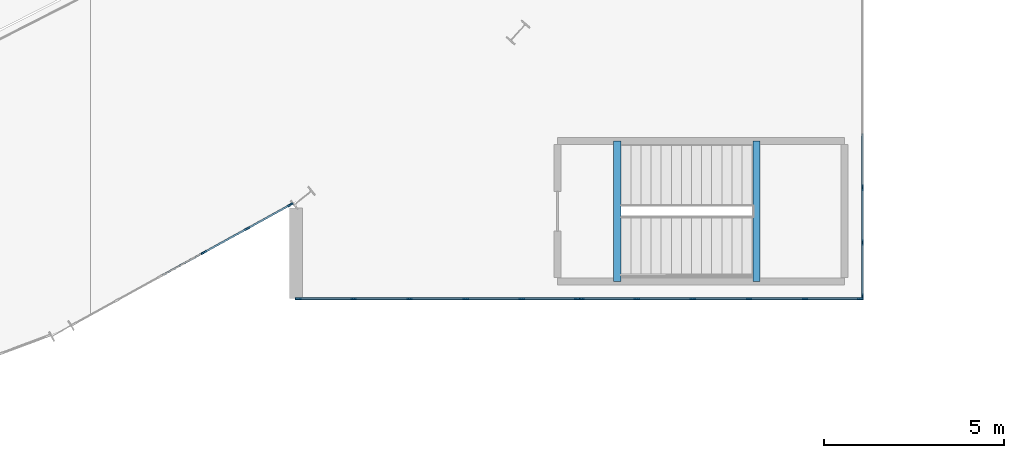
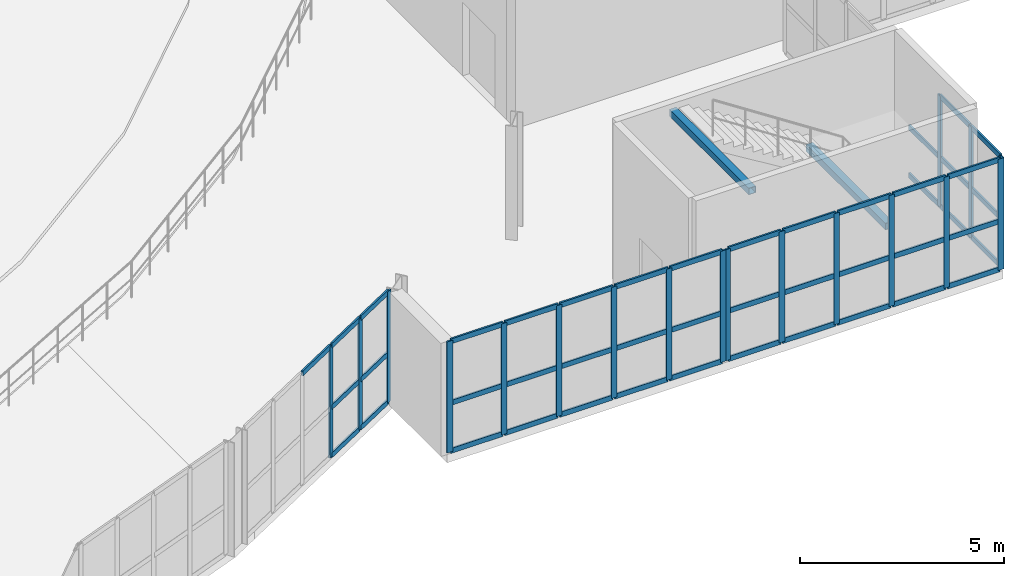
# One storey, part 15 of 40: 63 members, 2 beams, 4 elements without a shape of their own.
"""IFC4 building model written with IfcOpenShell, lengths in metres."""

from ifc_helpers import new_model, si_unit, direction, frame, origin, origin_2d, place, context, subcontext, project, spatial, rectangle, hollow_rectangle, extrude, material, material_profile, profile_set, type_object, element, aggregate, save


model = new_model("IFC4")

# Units and contexts
model_context = context("Model", 3, precision=1e-05, world=origin(), true_north=direction((0.0, 1.0)))
body_context = subcontext(model_context, "Body", "Model", "MODEL_VIEW")
ifc_project = project(units=[si_unit("LENGTHUNIT", "METRE"), si_unit("AREAUNIT", "SQUARE_METRE"), si_unit("VOLUMEUNIT", "CUBIC_METRE"), si_unit("PLANEANGLEUNIT", "RADIAN"), si_unit("MASSUNIT", "GRAM", prefix="KILO")], contexts=[model_context])

# Site, building, storey
site_placement = place(None, origin())
site = spatial("IfcSite", under=ifc_project, at=site_placement, CompositionType="ELEMENT")
building_placement = place(site_placement, origin())
building = spatial("IfcBuilding", under=site, at=building_placement, Name="Glasvene Arena", CompositionType="ELEMENT")
storey_placement = place(building_placement, frame((0.0, 0.0, 24.0)))
storey = spatial("IfcBuildingStorey", under=building, at=storey_placement, Name="L05", CompositionType="ELEMENT", Elevation=24.0)

# Beams
ifc_material_1 = material(Name="Steel S355J2", Category="steel")
ifc_material_profile_1 = material_profile(ifc_material_1, hollow_rectangle(XDim=0.199951171875, YDim=0.199951171875, WallThickness=0.010009765625, at=origin_2d()), Name="SHS 200x200x10.0")
ifc_profile_set_1 = profile_set([ifc_material_profile_1], Name="Steel S355J2")
beam_type = type_object("IfcBeamType", Name="BM-LINTEL-200", PredefinedType="LINTEL", material=ifc_profile_set_1)
for number, where, z_axis, x_axis, name in (
    (1, (130.10009765625, 34.280029296875, 4.47998046875), (0.0, 1.0, 0.0), (-1.0, 0.0, 0.0), "Roof stair arrival support beam ST-06"),
    (2, (133.9599609375, 34.280029296875, 2.080078125), (0.0, 1.0, 0.0), (-1.0, 0.0, 0.0), "Stair half-landing support beam ST-06-L05"),
):
    element("IfcBeam", number, at=place(storey_placement, frame(where, z_axis=z_axis, x_axis=x_axis)), inside=storey, type_object=beam_type, Name=name, PredefinedType="LINTEL", context=body_context, shape_type="SweptSolid", body=[
        extrude(hollow_rectangle(XDim=0.199951171875, YDim=0.199951171875, WallThickness=0.010009765625, at=origin_2d()), origin(), (0.0, 0.0, 1.0), 3.889892578125),
    ])

# Curtain wall, members
ifc_material_2 = material(Name="Low-emissivity laminated double glazing", Category="glass")
curtain_wall_type_1 = type_object("IfcCurtainWallType", Name="CW-FAC-L05-1062x332", PredefinedType="USERDEFINED", material=ifc_material_2)
curtain_wall_1_placement = place(storey_placement, frame((136.89990234375, 44.4599609375, 0.0)))
curtain_wall_1 = element("IfcCurtainWall", 3, at=curtain_wall_1_placement, inside=storey, type_object=curtain_wall_type_1, Name="Unitised curtain wall CW-F-L05-150-1369-392-37", ObjectType="CURTAIN WALL", PredefinedType="USERDEFINED")
ifc_material_3 = material(Name="Anodised architectural aluminium", Category="aluminium")
ifc_material_profile_2 = material_profile(ifc_material_3, rectangle(XDim=0.050048828125, YDim=0.159912109375, at=origin_2d()), Name="ALU MULLION 50x160")
ifc_profile_set_2 = profile_set([ifc_material_profile_2], Name="Anodised architectural aluminium")
member_type_1 = type_object("IfcMemberType", Name="CW-MUL-150", PredefinedType="MULLION", material=ifc_profile_set_2)
member_1_placement = place(storey_placement, frame((136.89990234375, 36.874267578125, 0.06005859375), z_axis=(0.0, 0.0, 1.0), x_axis=(1.0, 0.0, 0.0)))
member_1 = element("IfcMember", 4, at=member_1_placement, type_object=member_type_1, Name="CW-054 mullion 6", PredefinedType="MULLION", context=body_context, shape_type="SweptSolid", body=[
    extrude(rectangle(XDim=0.050048828125, YDim=0.159912109375, at=origin_2d()), origin(), (0.0, 0.0, 1.0), 3.31982421875),
])
member_2_placement = place(storey_placement, frame((136.89990234375, 35.357177734375, 0.06005859375), z_axis=(0.0, 0.0, 1.0), x_axis=(1.0, 0.0, 0.0)))
member_2 = element("IfcMember", 5, at=member_2_placement, type_object=member_type_1, Name="CW-054 mullion 7", PredefinedType="MULLION", context=body_context, shape_type="SweptSolid", body=[
    extrude(rectangle(XDim=0.050048828125, YDim=0.159912109375, at=origin_2d()), origin(), (0.0, 0.0, 1.0), 3.31982421875),
])
member_3_placement = place(storey_placement, frame((136.89990234375, 33.864990234375, 0.06005859375), z_axis=(0.0, 0.0, 1.0), x_axis=(1.0, 0.0, 0.0)))
member_3 = element("IfcMember", 6, at=member_3_placement, type_object=member_type_1, Name="CW-054 mullion 8", PredefinedType="MULLION", context=body_context, shape_type="SweptSolid", body=[
    extrude(rectangle(XDim=0.050048828125, YDim=0.159912109375, at=origin_2d()), origin(), (0.0, 0.0, 1.0), 3.31982421875),
])

curtain_wall_type_2 = type_object("IfcCurtainWallType", Name="CW-FAC-L05-777x332", PredefinedType="USERDEFINED", material=ifc_material_2)
curtain_wall_2_placement = place(storey_placement, frame((136.860107421875, 33.800048828125, 0.0)))
curtain_wall_2 = element("IfcCurtainWall", 7, at=curtain_wall_2_placement, inside=storey, type_object=curtain_wall_type_2, Name="Unitised curtain wall CW-F-L05-150-1330-338-38", ObjectType="CURTAIN WALL", PredefinedType="USERDEFINED")
member_4_placement = place(storey_placement, frame((136.8349609375, 33.800048828125, 0.06005859375), z_axis=(0.0, 0.0, 1.0), x_axis=(0.0, -1.0, 0.0)))
member_4 = element("IfcMember", 8, at=member_4_placement, type_object=member_type_1, Name="CW-068 mullion 1", PredefinedType="MULLION", context=body_context, shape_type="SweptSolid", body=[
    extrude(rectangle(XDim=0.050048828125, YDim=0.159912109375, at=origin_2d()), origin(), (0.0, 0.0, 1.0), 3.31982421875),
])
member_5_placement = place(storey_placement, frame((135.305908203125, 33.800048828125, 0.06005859375), z_axis=(0.0, 0.0, 1.0), x_axis=(0.0, -1.0, 0.0)))
member_5 = element("IfcMember", 9, at=member_5_placement, type_object=member_type_1, Name="CW-068 mullion 2", PredefinedType="MULLION", context=body_context, shape_type="SweptSolid", body=[
    extrude(rectangle(XDim=0.050048828125, YDim=0.159912109375, at=origin_2d()), origin(), (0.0, 0.0, 1.0), 3.31982421875),
])
member_6_placement = place(storey_placement, frame((133.751953125, 33.800048828125, 0.06005859375), z_axis=(0.0, 0.0, 1.0), x_axis=(0.0, -1.0, 0.0)))
member_6 = element("IfcMember", 10, at=member_6_placement, type_object=member_type_1, Name="CW-068 mullion 3", PredefinedType="MULLION", context=body_context, shape_type="SweptSolid", body=[
    extrude(rectangle(XDim=0.050048828125, YDim=0.159912109375, at=origin_2d()), origin(), (0.0, 0.0, 1.0), 3.31982421875),
])
member_7_placement = place(storey_placement, frame((132.197998046875, 33.800048828125, 0.06005859375), z_axis=(0.0, 0.0, 1.0), x_axis=(0.0, -1.0, 0.0)))
member_7 = element("IfcMember", 11, at=member_7_placement, type_object=member_type_1, Name="CW-068 mullion 4", PredefinedType="MULLION", context=body_context, shape_type="SweptSolid", body=[
    extrude(rectangle(XDim=0.050048828125, YDim=0.159912109375, at=origin_2d()), origin(), (0.0, 0.0, 1.0), 3.31982421875),
])
member_8_placement = place(storey_placement, frame((130.64404296875, 33.800048828125, 0.06005859375), z_axis=(0.0, 0.0, 1.0), x_axis=(0.0, -1.0, 0.0)))
member_8 = element("IfcMember", 12, at=member_8_placement, type_object=member_type_1, Name="CW-068 mullion 5", PredefinedType="MULLION", context=body_context, shape_type="SweptSolid", body=[
    extrude(rectangle(XDim=0.050048828125, YDim=0.159912109375, at=origin_2d()), origin(), (0.0, 0.0, 1.0), 3.31982421875),
])
member_9_placement = place(storey_placement, frame((129.114990234375, 33.800048828125, 0.06005859375), z_axis=(0.0, 0.0, 1.0), x_axis=(0.0, -1.0, 0.0)))
member_9 = element("IfcMember", 13, at=member_9_placement, type_object=member_type_1, Name="CW-068 mullion 6", PredefinedType="MULLION", context=body_context, shape_type="SweptSolid", body=[
    extrude(rectangle(XDim=0.050048828125, YDim=0.159912109375, at=origin_2d()), origin(), (0.0, 0.0, 1.0), 3.31982421875),
])

curtain_wall_3_placement = place(storey_placement, frame((129.010009765625, 33.800048828125, 0.0)))
curtain_wall_3 = element("IfcCurtainWall", 14, at=curtain_wall_3_placement, inside=storey, type_object=curtain_wall_type_2, Name="Unitised curtain wall CW-F-L05-150-1251-338-39", ObjectType="CURTAIN WALL", PredefinedType="USERDEFINED")
member_10_placement = place(storey_placement, frame((128.985107421875, 33.800048828125, 0.06005859375), z_axis=(0.0, 0.0, 1.0), x_axis=(0.0, -1.0, 0.0)))
member_10 = element("IfcMember", 15, at=member_10_placement, type_object=member_type_1, Name="CW-068 mullion 1", PredefinedType="MULLION", context=body_context, shape_type="SweptSolid", body=[
    extrude(rectangle(XDim=0.050048828125, YDim=0.159912109375, at=origin_2d()), origin(), (0.0, 0.0, 1.0), 3.31982421875),
])
member_11_placement = place(storey_placement, frame((127.4560546875, 33.800048828125, 0.06005859375), z_axis=(0.0, 0.0, 1.0), x_axis=(0.0, -1.0, 0.0)))
member_11 = element("IfcMember", 16, at=member_11_placement, type_object=member_type_1, Name="CW-068 mullion 2", PredefinedType="MULLION", context=body_context, shape_type="SweptSolid", body=[
    extrude(rectangle(XDim=0.050048828125, YDim=0.159912109375, at=origin_2d()), origin(), (0.0, 0.0, 1.0), 3.31982421875),
])
member_12_placement = place(storey_placement, frame((125.902099609375, 33.800048828125, 0.06005859375), z_axis=(0.0, 0.0, 1.0), x_axis=(0.0, -1.0, 0.0)))
member_12 = element("IfcMember", 17, at=member_12_placement, type_object=member_type_1, Name="CW-068 mullion 3", PredefinedType="MULLION", context=body_context, shape_type="SweptSolid", body=[
    extrude(rectangle(XDim=0.050048828125, YDim=0.159912109375, at=origin_2d()), origin(), (0.0, 0.0, 1.0), 3.31982421875),
])
member_13_placement = place(storey_placement, frame((124.347900390625, 33.800048828125, 0.06005859375), z_axis=(0.0, 0.0, 1.0), x_axis=(0.0, -1.0, 0.0)))
member_13 = element("IfcMember", 18, at=member_13_placement, type_object=member_type_1, Name="CW-068 mullion 4", PredefinedType="MULLION", context=body_context, shape_type="SweptSolid", body=[
    extrude(rectangle(XDim=0.050048828125, YDim=0.159912109375, at=origin_2d()), origin(), (0.0, 0.0, 1.0), 3.31982421875),
])
member_14_placement = place(storey_placement, frame((122.7939453125, 33.800048828125, 0.06005859375), z_axis=(0.0, 0.0, 1.0), x_axis=(0.0, -1.0, 0.0)))
member_14 = element("IfcMember", 19, at=member_14_placement, type_object=member_type_1, Name="CW-068 mullion 5", PredefinedType="MULLION", context=body_context, shape_type="SweptSolid", body=[
    extrude(rectangle(XDim=0.050048828125, YDim=0.159912109375, at=origin_2d()), origin(), (0.0, 0.0, 1.0), 3.31982421875),
])
member_15_placement = place(storey_placement, frame((121.264892578125, 33.800048828125, 0.06005859375), z_axis=(0.0, 0.0, 1.0), x_axis=(0.0, -1.0, 0.0)))
member_15 = element("IfcMember", 20, at=member_15_placement, type_object=member_type_1, Name="CW-068 mullion 6", PredefinedType="MULLION", context=body_context, shape_type="SweptSolid", body=[
    extrude(rectangle(XDim=0.050048828125, YDim=0.159912109375, at=origin_2d()), origin(), (0.0, 0.0, 1.0), 3.31982421875),
])

curtain_wall_type_3 = type_object("IfcCurtainWallType", Name="CW-FAC-L05-690x332", PredefinedType="USERDEFINED", material=ifc_material_2)
curtain_wall_4_placement = place(storey_placement, frame((121.0634765625, 36.41455078125, 0.0)))
curtain_wall_4 = element("IfcCurtainWall", 21, at=curtain_wall_4_placement, inside=storey, type_object=curtain_wall_type_3, Name="Unitised curtain wall CW-F-L05-150-1180-347-41", ObjectType="CURTAIN WALL", PredefinedType="USERDEFINED")
member_16_placement = place(storey_placement, frame((121.04150390625, 36.40234375, 0.06005859375), z_axis=(0.0, 0.0, 1.0), x_axis=(0.482938658483, -0.875654185248, 0.0)))
member_16 = element("IfcMember", 22, at=member_16_placement, type_object=member_type_1, Name="CW-062 mullion 1", PredefinedType="MULLION", context=body_context, shape_type="SweptSolid", body=[
    extrude(rectangle(XDim=0.050048828125, YDim=0.159912109375, at=origin_2d()), origin(), (0.0, 0.0, 1.0), 3.31982421875),
])
member_17_placement = place(storey_placement, frame((119.85498046875, 35.748046875, 0.06005859375), z_axis=(0.0, 0.0, 1.0), x_axis=(0.482938658483, -0.875654185248, 0.0)))
member_17 = element("IfcMember", 23, at=member_17_placement, type_object=member_type_1, Name="CW-062 mullion 2", PredefinedType="MULLION", context=body_context, shape_type="SweptSolid", body=[
    extrude(rectangle(XDim=0.050048828125, YDim=0.159912109375, at=origin_2d()), origin(), (0.0, 0.0, 1.0), 3.31982421875),
])
member_18_placement = place(storey_placement, frame((118.646484375, 35.08154296875, 0.06005859375), z_axis=(0.0, 0.0, 1.0), x_axis=(0.482938658483, -0.875654185248, 0.0)))
member_18 = element("IfcMember", 24, at=member_18_placement, type_object=member_type_1, Name="CW-062 mullion 3", PredefinedType="MULLION", context=body_context, shape_type="SweptSolid", body=[
    extrude(rectangle(XDim=0.050048828125, YDim=0.159912109375, at=origin_2d()), origin(), (0.0, 0.0, 1.0), 3.31982421875),
])

# Member
ifc_material_profile_3 = material_profile(ifc_material_3, rectangle(XDim=0.050048828125, YDim=0.14990234375, at=origin_2d()), Name="ALU TRANSOM 50x150")
ifc_profile_set_3 = profile_set([ifc_material_profile_3], Name="Anodised architectural aluminium")
member_type_2 = type_object("IfcMemberType", Name="CW-TRN-150", PredefinedType="USERDEFINED", material=ifc_profile_set_3)
member_19_placement = place(storey_placement, frame((136.89990234375, 38.366455078125, 0.0849609375), z_axis=(0.0, -1.0, 0.0), x_axis=(1.0, 0.0, 0.0)))
member_19 = element("IfcMember", 25, at=member_19_placement, type_object=member_type_2, Name="CW-054 transom 5.1", ObjectType="TRANSOM", PredefinedType="USERDEFINED", context=body_context, shape_type="SweptSolid", body=[
    extrude(rectangle(XDim=0.050048828125, YDim=0.14990234375, at=origin_2d()), origin(), (0.0, 0.0, 1.0), 1.46728515625),
])

member_20_placement = place(storey_placement, frame((136.89990234375, 38.366455078125, 1.52099609375), z_axis=(0.0, -1.0, 0.0), x_axis=(1.0, 0.0, 0.0)))
member_20 = element("IfcMember", 26, at=member_20_placement, type_object=member_type_2, Name="CW-054 transom 5.2", ObjectType="TRANSOM", PredefinedType="USERDEFINED", context=body_context, shape_type="SweptSolid", body=[
    extrude(rectangle(XDim=0.050048828125, YDim=0.14990234375, at=origin_2d()), origin(), (0.0, 0.0, 1.0), 1.46728515625),
])

member_21_placement = place(storey_placement, frame((136.89990234375, 36.849365234375, 0.0849609375), z_axis=(0.0, -1.0, 0.0), x_axis=(1.0, 0.0, 0.0)))
member_21 = element("IfcMember", 27, at=member_21_placement, type_object=member_type_2, Name="CW-054 transom 6.1", ObjectType="TRANSOM", PredefinedType="USERDEFINED", context=body_context, shape_type="SweptSolid", body=[
    extrude(rectangle(XDim=0.050048828125, YDim=0.14990234375, at=origin_2d()), origin(), (0.0, 0.0, 1.0), 1.46728515625),
])

member_22_placement = place(storey_placement, frame((136.89990234375, 36.849365234375, 1.52099609375), z_axis=(0.0, -1.0, 0.0), x_axis=(1.0, 0.0, 0.0)))
member_22 = element("IfcMember", 28, at=member_22_placement, type_object=member_type_2, Name="CW-054 transom 6.2", ObjectType="TRANSOM", PredefinedType="USERDEFINED", context=body_context, shape_type="SweptSolid", body=[
    extrude(rectangle(XDim=0.050048828125, YDim=0.14990234375, at=origin_2d()), origin(), (0.0, 0.0, 1.0), 1.46728515625),
])

member_23_placement = place(storey_placement, frame((136.89990234375, 36.849365234375, 3.35498046875), z_axis=(0.0, -1.0, 0.0), x_axis=(1.0, 0.0, 0.0)))
member_23 = element("IfcMember", 29, at=member_23_placement, type_object=member_type_2, Name="CW-054 transom 6.3", ObjectType="TRANSOM", PredefinedType="USERDEFINED", context=body_context, shape_type="SweptSolid", body=[
    extrude(rectangle(XDim=0.050048828125, YDim=0.14990234375, at=origin_2d()), origin(), (0.0, 0.0, 1.0), 1.46728515625),
])

member_24_placement = place(storey_placement, frame((136.89990234375, 35.33203125, 0.0849609375), z_axis=(0.0, -1.0, 0.0), x_axis=(1.0, 0.0, 0.0)))
member_24 = element("IfcMember", 30, at=member_24_placement, type_object=member_type_2, Name="CW-054 transom 7.1", ObjectType="TRANSOM", PredefinedType="USERDEFINED", context=body_context, shape_type="SweptSolid", body=[
    extrude(rectangle(XDim=0.050048828125, YDim=0.14990234375, at=origin_2d()), origin(), (0.0, 0.0, 1.0), 1.442138671875),
])

member_25_placement = place(storey_placement, frame((136.89990234375, 35.33203125, 1.52099609375), z_axis=(0.0, -1.0, 0.0), x_axis=(1.0, 0.0, 0.0)))
member_25 = element("IfcMember", 31, at=member_25_placement, type_object=member_type_2, Name="CW-054 transom 7.2", ObjectType="TRANSOM", PredefinedType="USERDEFINED", context=body_context, shape_type="SweptSolid", body=[
    extrude(rectangle(XDim=0.050048828125, YDim=0.14990234375, at=origin_2d()), origin(), (0.0, 0.0, 1.0), 1.442138671875),
])

member_26_placement = place(storey_placement, frame((136.89990234375, 35.33203125, 3.35498046875), z_axis=(0.0, -1.0, 0.0), x_axis=(1.0, 0.0, 0.0)))
member_26 = element("IfcMember", 32, at=member_26_placement, type_object=member_type_2, Name="CW-054 transom 7.3", ObjectType="TRANSOM", PredefinedType="USERDEFINED", context=body_context, shape_type="SweptSolid", body=[
    extrude(rectangle(XDim=0.050048828125, YDim=0.14990234375, at=origin_2d()), origin(), (0.0, 0.0, 1.0), 1.442138671875),
])

aggregate(curtain_wall_1, [member_1, member_2, member_3, member_19, member_20, member_21, member_22, member_23, member_24, member_25, member_26])

member_27_placement = place(storey_placement, frame((136.81005859375, 33.800048828125, 0.0849609375), z_axis=(-1.0, 0.0, 0.0), x_axis=(0.0, -1.0, 0.0)))
member_27 = element("IfcMember", 33, at=member_27_placement, type_object=member_type_2, Name="CW-068 transom 1.1", ObjectType="TRANSOM", PredefinedType="USERDEFINED", context=body_context, shape_type="SweptSolid", body=[
    extrude(rectangle(XDim=0.050048828125, YDim=0.14990234375, at=origin_2d()), origin(), (0.0, 0.0, 1.0), 1.47900390625),
])

member_28_placement = place(storey_placement, frame((136.81005859375, 33.800048828125, 1.52099609375), z_axis=(-1.0, 0.0, 0.0), x_axis=(0.0, -1.0, 0.0)))
member_28 = element("IfcMember", 34, at=member_28_placement, type_object=member_type_2, Name="CW-068 transom 1.2", ObjectType="TRANSOM", PredefinedType="USERDEFINED", context=body_context, shape_type="SweptSolid", body=[
    extrude(rectangle(XDim=0.050048828125, YDim=0.14990234375, at=origin_2d()), origin(), (0.0, 0.0, 1.0), 1.47900390625),
])

member_29_placement = place(storey_placement, frame((136.81005859375, 33.800048828125, 3.35498046875), z_axis=(-1.0, 0.0, 0.0), x_axis=(0.0, -1.0, 0.0)))
member_29 = element("IfcMember", 35, at=member_29_placement, type_object=member_type_2, Name="CW-068 transom 1.3", ObjectType="TRANSOM", PredefinedType="USERDEFINED", context=body_context, shape_type="SweptSolid", body=[
    extrude(rectangle(XDim=0.050048828125, YDim=0.14990234375, at=origin_2d()), origin(), (0.0, 0.0, 1.0), 1.47900390625),
])

member_30_placement = place(storey_placement, frame((135.281005859375, 33.800048828125, 0.0849609375), z_axis=(-1.0, 0.0, 0.0), x_axis=(0.0, -1.0, 0.0)))
member_30 = element("IfcMember", 36, at=member_30_placement, type_object=member_type_2, Name="CW-068 transom 2.1", ObjectType="TRANSOM", PredefinedType="USERDEFINED", context=body_context, shape_type="SweptSolid", body=[
    extrude(rectangle(XDim=0.050048828125, YDim=0.14990234375, at=origin_2d()), origin(), (0.0, 0.0, 1.0), 1.50390625),
])

member_31_placement = place(storey_placement, frame((135.281005859375, 33.800048828125, 1.52099609375), z_axis=(-1.0, 0.0, 0.0), x_axis=(0.0, -1.0, 0.0)))
member_31 = element("IfcMember", 37, at=member_31_placement, type_object=member_type_2, Name="CW-068 transom 2.2", ObjectType="TRANSOM", PredefinedType="USERDEFINED", context=body_context, shape_type="SweptSolid", body=[
    extrude(rectangle(XDim=0.050048828125, YDim=0.14990234375, at=origin_2d()), origin(), (0.0, 0.0, 1.0), 1.50390625),
])

member_32_placement = place(storey_placement, frame((135.281005859375, 33.800048828125, 3.35498046875), z_axis=(-1.0, 0.0, 0.0), x_axis=(0.0, -1.0, 0.0)))
member_32 = element("IfcMember", 38, at=member_32_placement, type_object=member_type_2, Name="CW-068 transom 2.3", ObjectType="TRANSOM", PredefinedType="USERDEFINED", context=body_context, shape_type="SweptSolid", body=[
    extrude(rectangle(XDim=0.050048828125, YDim=0.14990234375, at=origin_2d()), origin(), (0.0, 0.0, 1.0), 1.50390625),
])

member_33_placement = place(storey_placement, frame((133.72705078125, 33.800048828125, 0.0849609375), z_axis=(-1.0, 0.0, 0.0), x_axis=(0.0, -1.0, 0.0)))
member_33 = element("IfcMember", 39, at=member_33_placement, type_object=member_type_2, Name="CW-068 transom 3.1", ObjectType="TRANSOM", PredefinedType="USERDEFINED", context=body_context, shape_type="SweptSolid", body=[
    extrude(rectangle(XDim=0.050048828125, YDim=0.14990234375, at=origin_2d()), origin(), (0.0, 0.0, 1.0), 1.504150390625),
])

member_34_placement = place(storey_placement, frame((133.72705078125, 33.800048828125, 1.52099609375), z_axis=(-1.0, 0.0, 0.0), x_axis=(0.0, -1.0, 0.0)))
member_34 = element("IfcMember", 40, at=member_34_placement, type_object=member_type_2, Name="CW-068 transom 3.2", ObjectType="TRANSOM", PredefinedType="USERDEFINED", context=body_context, shape_type="SweptSolid", body=[
    extrude(rectangle(XDim=0.050048828125, YDim=0.14990234375, at=origin_2d()), origin(), (0.0, 0.0, 1.0), 1.504150390625),
])

member_35_placement = place(storey_placement, frame((133.72705078125, 33.800048828125, 3.35498046875), z_axis=(-1.0, 0.0, 0.0), x_axis=(0.0, -1.0, 0.0)))
member_35 = element("IfcMember", 41, at=member_35_placement, type_object=member_type_2, Name="CW-068 transom 3.3", ObjectType="TRANSOM", PredefinedType="USERDEFINED", context=body_context, shape_type="SweptSolid", body=[
    extrude(rectangle(XDim=0.050048828125, YDim=0.14990234375, at=origin_2d()), origin(), (0.0, 0.0, 1.0), 1.504150390625),
])

member_36_placement = place(storey_placement, frame((132.173095703125, 33.800048828125, 0.0849609375), z_axis=(-1.0, 0.0, 0.0), x_axis=(0.0, -1.0, 0.0)))
member_36 = element("IfcMember", 42, at=member_36_placement, type_object=member_type_2, Name="CW-068 transom 4.1", ObjectType="TRANSOM", PredefinedType="USERDEFINED", context=body_context, shape_type="SweptSolid", body=[
    extrude(rectangle(XDim=0.050048828125, YDim=0.14990234375, at=origin_2d()), origin(), (0.0, 0.0, 1.0), 1.504150390625),
])

member_37_placement = place(storey_placement, frame((132.173095703125, 33.800048828125, 1.52099609375), z_axis=(-1.0, 0.0, 0.0), x_axis=(0.0, -1.0, 0.0)))
member_37 = element("IfcMember", 43, at=member_37_placement, type_object=member_type_2, Name="CW-068 transom 4.2", ObjectType="TRANSOM", PredefinedType="USERDEFINED", context=body_context, shape_type="SweptSolid", body=[
    extrude(rectangle(XDim=0.050048828125, YDim=0.14990234375, at=origin_2d()), origin(), (0.0, 0.0, 1.0), 1.504150390625),
])

member_38_placement = place(storey_placement, frame((132.173095703125, 33.800048828125, 3.35498046875), z_axis=(-1.0, 0.0, 0.0), x_axis=(0.0, -1.0, 0.0)))
member_38 = element("IfcMember", 44, at=member_38_placement, type_object=member_type_2, Name="CW-068 transom 4.3", ObjectType="TRANSOM", PredefinedType="USERDEFINED", context=body_context, shape_type="SweptSolid", body=[
    extrude(rectangle(XDim=0.050048828125, YDim=0.14990234375, at=origin_2d()), origin(), (0.0, 0.0, 1.0), 1.504150390625),
])

member_39_placement = place(storey_placement, frame((130.618896484375, 33.800048828125, 0.0849609375), z_axis=(-1.0, 0.0, 0.0), x_axis=(0.0, -1.0, 0.0)))
member_39 = element("IfcMember", 45, at=member_39_placement, type_object=member_type_2, Name="CW-068 transom 5.1", ObjectType="TRANSOM", PredefinedType="USERDEFINED", context=body_context, shape_type="SweptSolid", body=[
    extrude(rectangle(XDim=0.050048828125, YDim=0.14990234375, at=origin_2d()), origin(), (0.0, 0.0, 1.0), 1.47900390625),
])

member_40_placement = place(storey_placement, frame((130.618896484375, 33.800048828125, 1.52099609375), z_axis=(-1.0, 0.0, 0.0), x_axis=(0.0, -1.0, 0.0)))
member_40 = element("IfcMember", 46, at=member_40_placement, type_object=member_type_2, Name="CW-068 transom 5.2", ObjectType="TRANSOM", PredefinedType="USERDEFINED", context=body_context, shape_type="SweptSolid", body=[
    extrude(rectangle(XDim=0.050048828125, YDim=0.14990234375, at=origin_2d()), origin(), (0.0, 0.0, 1.0), 1.47900390625),
])

member_41_placement = place(storey_placement, frame((130.618896484375, 33.800048828125, 3.35498046875), z_axis=(-1.0, 0.0, 0.0), x_axis=(0.0, -1.0, 0.0)))
member_41 = element("IfcMember", 47, at=member_41_placement, type_object=member_type_2, Name="CW-068 transom 5.3", ObjectType="TRANSOM", PredefinedType="USERDEFINED", context=body_context, shape_type="SweptSolid", body=[
    extrude(rectangle(XDim=0.050048828125, YDim=0.14990234375, at=origin_2d()), origin(), (0.0, 0.0, 1.0), 1.47900390625),
])

aggregate(curtain_wall_2, [member_4, member_5, member_6, member_7, member_8, member_9, member_27, member_28, member_29, member_30, member_31, member_32, member_33, member_34, member_35, member_36, member_37, member_38, member_39, member_40, member_41])

member_42_placement = place(storey_placement, frame((128.9599609375, 33.800048828125, 0.0849609375), z_axis=(-1.0, 0.0, 0.0), x_axis=(0.0, -1.0, 0.0)))
member_42 = element("IfcMember", 48, at=member_42_placement, type_object=member_type_2, Name="CW-068 transom 1.1", ObjectType="TRANSOM", PredefinedType="USERDEFINED", context=body_context, shape_type="SweptSolid", body=[
    extrude(rectangle(XDim=0.050048828125, YDim=0.14990234375, at=origin_2d()), origin(), (0.0, 0.0, 1.0), 1.47900390625),
])

member_43_placement = place(storey_placement, frame((128.9599609375, 33.800048828125, 1.52099609375), z_axis=(-1.0, 0.0, 0.0), x_axis=(0.0, -1.0, 0.0)))
member_43 = element("IfcMember", 49, at=member_43_placement, type_object=member_type_2, Name="CW-068 transom 1.2", ObjectType="TRANSOM", PredefinedType="USERDEFINED", context=body_context, shape_type="SweptSolid", body=[
    extrude(rectangle(XDim=0.050048828125, YDim=0.14990234375, at=origin_2d()), origin(), (0.0, 0.0, 1.0), 1.47900390625),
])

member_44_placement = place(storey_placement, frame((128.9599609375, 33.800048828125, 3.35498046875), z_axis=(-1.0, 0.0, 0.0), x_axis=(0.0, -1.0, 0.0)))
member_44 = element("IfcMember", 50, at=member_44_placement, type_object=member_type_2, Name="CW-068 transom 1.3", ObjectType="TRANSOM", PredefinedType="USERDEFINED", context=body_context, shape_type="SweptSolid", body=[
    extrude(rectangle(XDim=0.050048828125, YDim=0.14990234375, at=origin_2d()), origin(), (0.0, 0.0, 1.0), 1.47900390625),
])

member_45_placement = place(storey_placement, frame((127.430908203125, 33.800048828125, 0.0849609375), z_axis=(-1.0, 0.0, 0.0), x_axis=(0.0, -1.0, 0.0)))
member_45 = element("IfcMember", 51, at=member_45_placement, type_object=member_type_2, Name="CW-068 transom 2.1", ObjectType="TRANSOM", PredefinedType="USERDEFINED", context=body_context, shape_type="SweptSolid", body=[
    extrude(rectangle(XDim=0.050048828125, YDim=0.14990234375, at=origin_2d()), origin(), (0.0, 0.0, 1.0), 1.50390625),
])

member_46_placement = place(storey_placement, frame((127.430908203125, 33.800048828125, 1.52099609375), z_axis=(-1.0, 0.0, 0.0), x_axis=(0.0, -1.0, 0.0)))
member_46 = element("IfcMember", 52, at=member_46_placement, type_object=member_type_2, Name="CW-068 transom 2.2", ObjectType="TRANSOM", PredefinedType="USERDEFINED", context=body_context, shape_type="SweptSolid", body=[
    extrude(rectangle(XDim=0.050048828125, YDim=0.14990234375, at=origin_2d()), origin(), (0.0, 0.0, 1.0), 1.50390625),
])

member_47_placement = place(storey_placement, frame((127.430908203125, 33.800048828125, 3.35498046875), z_axis=(-1.0, 0.0, 0.0), x_axis=(0.0, -1.0, 0.0)))
member_47 = element("IfcMember", 53, at=member_47_placement, type_object=member_type_2, Name="CW-068 transom 2.3", ObjectType="TRANSOM", PredefinedType="USERDEFINED", context=body_context, shape_type="SweptSolid", body=[
    extrude(rectangle(XDim=0.050048828125, YDim=0.14990234375, at=origin_2d()), origin(), (0.0, 0.0, 1.0), 1.50390625),
])

member_48_placement = place(storey_placement, frame((125.876953125, 33.800048828125, 0.0849609375), z_axis=(-1.0, 0.0, 0.0), x_axis=(0.0, -1.0, 0.0)))
member_48 = element("IfcMember", 54, at=member_48_placement, type_object=member_type_2, Name="CW-068 transom 3.1", ObjectType="TRANSOM", PredefinedType="USERDEFINED", context=body_context, shape_type="SweptSolid", body=[
    extrude(rectangle(XDim=0.050048828125, YDim=0.14990234375, at=origin_2d()), origin(), (0.0, 0.0, 1.0), 1.50390625),
])

member_49_placement = place(storey_placement, frame((125.876953125, 33.800048828125, 1.52099609375), z_axis=(-1.0, 0.0, 0.0), x_axis=(0.0, -1.0, 0.0)))
member_49 = element("IfcMember", 55, at=member_49_placement, type_object=member_type_2, Name="CW-068 transom 3.2", ObjectType="TRANSOM", PredefinedType="USERDEFINED", context=body_context, shape_type="SweptSolid", body=[
    extrude(rectangle(XDim=0.050048828125, YDim=0.14990234375, at=origin_2d()), origin(), (0.0, 0.0, 1.0), 1.50390625),
])

member_50_placement = place(storey_placement, frame((125.876953125, 33.800048828125, 3.35498046875), z_axis=(-1.0, 0.0, 0.0), x_axis=(0.0, -1.0, 0.0)))
member_50 = element("IfcMember", 56, at=member_50_placement, type_object=member_type_2, Name="CW-068 transom 3.3", ObjectType="TRANSOM", PredefinedType="USERDEFINED", context=body_context, shape_type="SweptSolid", body=[
    extrude(rectangle(XDim=0.050048828125, YDim=0.14990234375, at=origin_2d()), origin(), (0.0, 0.0, 1.0), 1.50390625),
])

member_51_placement = place(storey_placement, frame((124.322998046875, 33.800048828125, 0.0849609375), z_axis=(-1.0, 0.0, 0.0), x_axis=(0.0, -1.0, 0.0)))
member_51 = element("IfcMember", 57, at=member_51_placement, type_object=member_type_2, Name="CW-068 transom 4.1", ObjectType="TRANSOM", PredefinedType="USERDEFINED", context=body_context, shape_type="SweptSolid", body=[
    extrude(rectangle(XDim=0.050048828125, YDim=0.14990234375, at=origin_2d()), origin(), (0.0, 0.0, 1.0), 1.50390625),
])

member_52_placement = place(storey_placement, frame((124.322998046875, 33.800048828125, 1.52099609375), z_axis=(-1.0, 0.0, 0.0), x_axis=(0.0, -1.0, 0.0)))
member_52 = element("IfcMember", 58, at=member_52_placement, type_object=member_type_2, Name="CW-068 transom 4.2", ObjectType="TRANSOM", PredefinedType="USERDEFINED", context=body_context, shape_type="SweptSolid", body=[
    extrude(rectangle(XDim=0.050048828125, YDim=0.14990234375, at=origin_2d()), origin(), (0.0, 0.0, 1.0), 1.50390625),
])

member_53_placement = place(storey_placement, frame((124.322998046875, 33.800048828125, 3.35498046875), z_axis=(-1.0, 0.0, 0.0), x_axis=(0.0, -1.0, 0.0)))
member_53 = element("IfcMember", 59, at=member_53_placement, type_object=member_type_2, Name="CW-068 transom 4.3", ObjectType="TRANSOM", PredefinedType="USERDEFINED", context=body_context, shape_type="SweptSolid", body=[
    extrude(rectangle(XDim=0.050048828125, YDim=0.14990234375, at=origin_2d()), origin(), (0.0, 0.0, 1.0), 1.50390625),
])

member_54_placement = place(storey_placement, frame((122.76904296875, 33.800048828125, 0.0849609375), z_axis=(-1.0, 0.0, 0.0), x_axis=(0.0, -1.0, 0.0)))
member_54 = element("IfcMember", 60, at=member_54_placement, type_object=member_type_2, Name="CW-068 transom 5.1", ObjectType="TRANSOM", PredefinedType="USERDEFINED", context=body_context, shape_type="SweptSolid", body=[
    extrude(rectangle(XDim=0.050048828125, YDim=0.14990234375, at=origin_2d()), origin(), (0.0, 0.0, 1.0), 1.47900390625),
])

member_55_placement = place(storey_placement, frame((122.76904296875, 33.800048828125, 1.52099609375), z_axis=(-1.0, 0.0, 0.0), x_axis=(0.0, -1.0, 0.0)))
member_55 = element("IfcMember", 61, at=member_55_placement, type_object=member_type_2, Name="CW-068 transom 5.2", ObjectType="TRANSOM", PredefinedType="USERDEFINED", context=body_context, shape_type="SweptSolid", body=[
    extrude(rectangle(XDim=0.050048828125, YDim=0.14990234375, at=origin_2d()), origin(), (0.0, 0.0, 1.0), 1.47900390625),
])

member_56_placement = place(storey_placement, frame((122.76904296875, 33.800048828125, 3.35498046875), z_axis=(-1.0, 0.0, 0.0), x_axis=(0.0, -1.0, 0.0)))
member_56 = element("IfcMember", 62, at=member_56_placement, type_object=member_type_2, Name="CW-068 transom 5.3", ObjectType="TRANSOM", PredefinedType="USERDEFINED", context=body_context, shape_type="SweptSolid", body=[
    extrude(rectangle(XDim=0.050048828125, YDim=0.14990234375, at=origin_2d()), origin(), (0.0, 0.0, 1.0), 1.47900390625),
])

aggregate(curtain_wall_3, [member_10, member_11, member_12, member_13, member_14, member_15, member_42, member_43, member_44, member_45, member_46, member_47, member_48, member_49, member_50, member_51, member_52, member_53, member_54, member_55, member_56])

member_57_placement = place(storey_placement, frame((121.019775390625, 36.390380859375, 0.0849609375), z_axis=(-0.875626789087, -0.482988329293, 0.0), x_axis=(0.482988329293, -0.875626789087, 0.0)))
member_57 = element("IfcMember", 63, at=member_57_placement, type_object=member_type_2, Name="CW-062 transom 1.1", ObjectType="TRANSOM", PredefinedType="USERDEFINED", context=body_context, shape_type="SweptSolid", body=[
    extrude(rectangle(XDim=0.050048828125, YDim=0.14990234375, at=origin_2d()), origin(), (0.0, 0.0, 1.0), 1.30517578125),
])

member_58_placement = place(storey_placement, frame((121.019775390625, 36.390380859375, 1.52099609375), z_axis=(-0.875626789087, -0.482988329293, 0.0), x_axis=(0.482988329293, -0.875626789087, 0.0)))
member_58 = element("IfcMember", 64, at=member_58_placement, type_object=member_type_2, Name="CW-062 transom 1.2", ObjectType="TRANSOM", PredefinedType="USERDEFINED", context=body_context, shape_type="SweptSolid", body=[
    extrude(rectangle(XDim=0.050048828125, YDim=0.14990234375, at=origin_2d()), origin(), (0.0, 0.0, 1.0), 1.30517578125),
])

member_59_placement = place(storey_placement, frame((121.019775390625, 36.390380859375, 3.35498046875), z_axis=(-0.875626789087, -0.482988329293, 0.0), x_axis=(0.482988329293, -0.875626789087, 0.0)))
member_59 = element("IfcMember", 65, at=member_59_placement, type_object=member_type_2, Name="CW-062 transom 1.3", ObjectType="TRANSOM", PredefinedType="USERDEFINED", context=body_context, shape_type="SweptSolid", body=[
    extrude(rectangle(XDim=0.050048828125, YDim=0.14990234375, at=origin_2d()), origin(), (0.0, 0.0, 1.0), 1.30517578125),
])

member_60_placement = place(storey_placement, frame((119.8330078125, 35.73583984375, 0.0849609375), z_axis=(-0.875633904051, -0.482975430096, 0.0), x_axis=(0.482975430096, -0.875633904051, 0.0)))
member_60 = element("IfcMember", 66, at=member_60_placement, type_object=member_type_2, Name="CW-062 transom 2.1", ObjectType="TRANSOM", PredefinedType="USERDEFINED", context=body_context, shape_type="SweptSolid", body=[
    extrude(rectangle(XDim=0.050048828125, YDim=0.14990234375, at=origin_2d()), origin(), (0.0, 0.0, 1.0), 1.329833984375),
])

member_61_placement = place(storey_placement, frame((119.8330078125, 35.73583984375, 1.52099609375), z_axis=(-0.875633904051, -0.482975430096, 0.0), x_axis=(0.482975430096, -0.875633904051, 0.0)))
member_61 = element("IfcMember", 67, at=member_61_placement, type_object=member_type_2, Name="CW-062 transom 2.2", ObjectType="TRANSOM", PredefinedType="USERDEFINED", context=body_context, shape_type="SweptSolid", body=[
    extrude(rectangle(XDim=0.050048828125, YDim=0.14990234375, at=origin_2d()), origin(), (0.0, 0.0, 1.0), 1.329833984375),
])

member_62_placement = place(storey_placement, frame((119.8330078125, 35.73583984375, 3.35498046875), z_axis=(-0.875633904051, -0.482975430096, 0.0), x_axis=(0.482975430096, -0.875633904051, 0.0)))
member_62 = element("IfcMember", 68, at=member_62_placement, type_object=member_type_2, Name="CW-062 transom 2.3", ObjectType="TRANSOM", PredefinedType="USERDEFINED", context=body_context, shape_type="SweptSolid", body=[
    extrude(rectangle(XDim=0.050048828125, YDim=0.14990234375, at=origin_2d()), origin(), (0.0, 0.0, 1.0), 1.329833984375),
])

member_63_placement = place(storey_placement, frame((118.62451171875, 35.0693359375, 3.35498046875), z_axis=(-0.875676714478, -0.482897806705, 0.0), x_axis=(0.482897806705, -0.875676714478, 0.0)))
member_63 = element("IfcMember", 69, at=member_63_placement, type_object=member_type_2, Name="CW-062 transom 3.3", ObjectType="TRANSOM", PredefinedType="USERDEFINED", context=body_context, shape_type="SweptSolid", body=[
    extrude(rectangle(XDim=0.050048828125, YDim=0.14990234375, at=origin_2d()), origin(), (0.0, 0.0, 1.0), 1.330078125),
])

aggregate(curtain_wall_4, [member_16, member_17, member_18, member_57, member_58, member_59, member_60, member_61, member_62, member_63])

save(model, "model.ifc")
